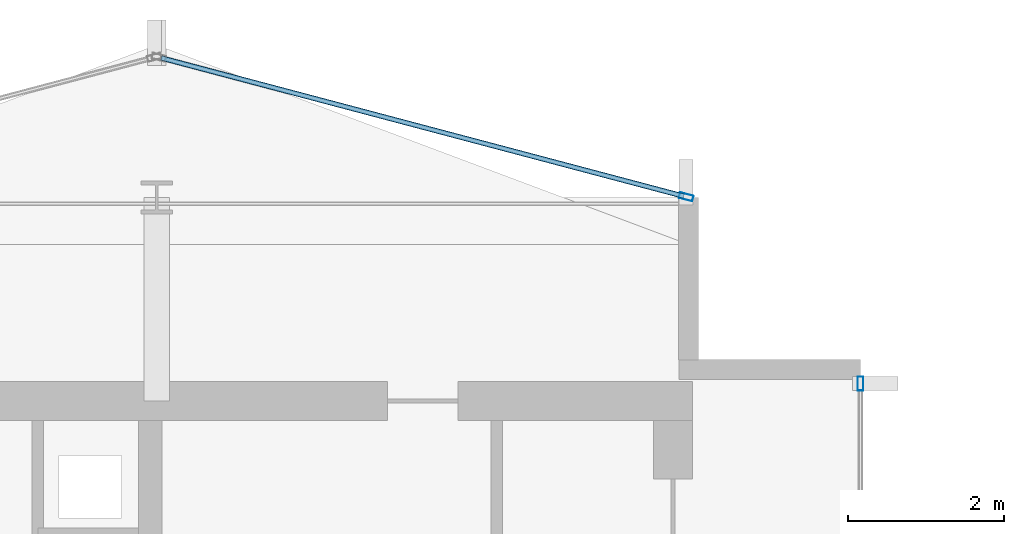
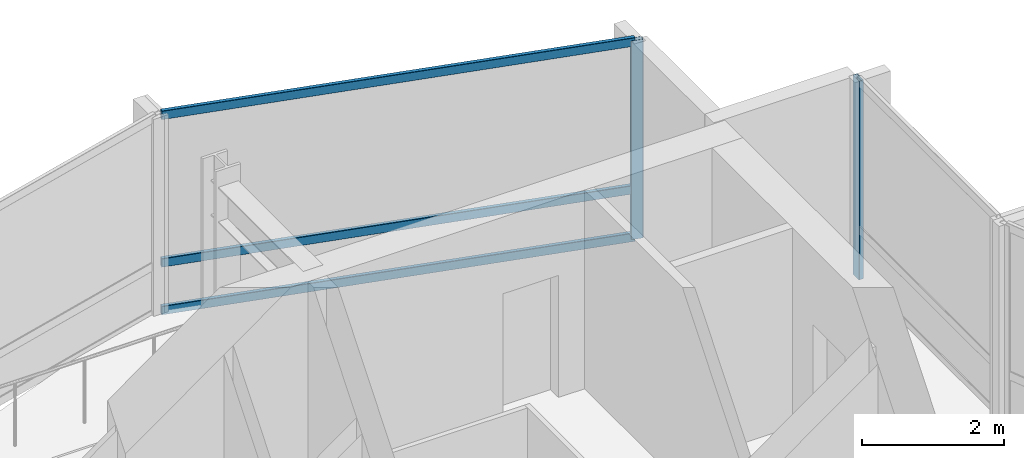
# One storey, part 18 of 27: 5 members, 2 elements without a shape of their own.
"""IFC4 building model written with IfcOpenShell, lengths in metres."""

from ifc_helpers import new_model, si_unit, direction, frame, origin, origin_2d, place, context, subcontext, project, spatial, hollow_rectangle, extrude, material, layer, layer_set, material_profile, profile_set, type_object, element, aggregate, save


model = new_model("IFC4")

# Units and contexts
model_context = context("Model", 3, precision=1e-05, world=origin(), true_north=direction((0.0, 1.0)))
body_context = subcontext(model_context, "Body", "Model", "MODEL_VIEW")
ifc_project = project(units=[si_unit("LENGTHUNIT", "METRE"), si_unit("AREAUNIT", "SQUARE_METRE"), si_unit("VOLUMEUNIT", "CUBIC_METRE"), si_unit("PLANEANGLEUNIT", "RADIAN"), si_unit("MASSUNIT", "GRAM", prefix="KILO")], contexts=[model_context])

# Site, building, storey
site_placement = place(None, origin())
site = spatial("IfcSite", under=ifc_project, at=site_placement, CompositionType="ELEMENT")
building_placement = place(site_placement, origin())
building = spatial("IfcBuilding", under=site, at=building_placement, Name="Solvaryn Broadcast Tower", CompositionType="ELEMENT")
storey_placement = place(building_placement, frame((0.0, 0.0, 189.0)))
storey = spatial("IfcBuildingStorey", under=building, at=storey_placement, Name="L47", CompositionType="ELEMENT", Elevation=189.0)

# Curtain wall, member
ifc_material_1 = material(Name="Aluminium and Terracotta Unitised Curtain Wall", Category="masonry")
ifc_layer = layer(ifc_material_1, 0.199951171875)
ifc_layer_set = layer_set([ifc_layer], Name="CW-SYS2-LOWMID")
curtain_wall_type = type_object("IfcCurtainWallType", Name="CW-SYS2-LOWMID", PredefinedType="NOTDEFINED", material=ifc_layer_set)
curtain_wall_1_placement = place(storey_placement, origin())
curtain_wall_1 = element("IfcCurtainWall", 1, at=curtain_wall_1_placement, inside=storey, type_object=curtain_wall_type, Name="L47 Curtain Wall IV", PredefinedType="NOTDEFINED")
ifc_material_2 = material(Name="Anodised Aluminium 6063-T6", Category="aluminium")
ifc_material_profile_1 = material_profile(ifc_material_2, hollow_rectangle(XDim=0.074951171875, YDim=0.179931640625, WallThickness=0.00390625, InnerFilletRadius=0.00390625, OuterFilletRadius=0.008056640625, at=origin_2d()))
ifc_profile_set_1 = profile_set([ifc_material_profile_1], Name="Anodised Aluminium 6063-T6")
member_type_1 = type_object("IfcMemberType", Name="CW-MUL-180", PredefinedType="MULLION", material=ifc_profile_set_1)
member_1_placement = place(storey_placement, frame((27.0, 42.6201171875, 0.0), z_axis=(0.0, 0.0, 1.0), x_axis=(1.0, 0.0, 0.0)))
member_1 = element("IfcMember", 2, at=member_1_placement, type_object=member_type_1, Name="CWS2 mullion 1", PredefinedType="MULLION", context=body_context, shape_type="SweptSolid", body=[
    extrude(hollow_rectangle(XDim=0.074951171875, YDim=0.179931640625, WallThickness=0.00390625, InnerFilletRadius=0.00390625, OuterFilletRadius=0.008056640625, at=origin_2d()), origin(), (0.0, 0.0, 1.0), 3.419921875),
])
aggregate(curtain_wall_1, [member_1])

# Curtain wall, members
curtain_wall_2_placement = place(storey_placement, origin())
curtain_wall_2 = element("IfcCurtainWall", 3, at=curtain_wall_2_placement, inside=storey, type_object=curtain_wall_type, Name="L47 Curtain Wall NT1", PredefinedType="NOTDEFINED")
member_2_placement = place(storey_placement, frame((24.77099609375, 45.007568359375, 0.0), z_axis=(0.0, 0.0, 1.0), x_axis=(-0.25589256031, -0.966705227863, 0.0)))
member_2 = element("IfcMember", 4, at=member_2_placement, type_object=member_type_1, Name="CWS2 mullion 1", PredefinedType="MULLION", context=body_context, shape_type="SweptSolid", body=[
    extrude(hollow_rectangle(XDim=0.074951171875, YDim=0.179931640625, WallThickness=0.00390625, InnerFilletRadius=0.00390625, OuterFilletRadius=0.008056640625, at=origin_2d()), origin(), (0.0, 0.0, 1.0), 3.419921875),
])
ifc_material_3 = material(Name="Anodised Aluminium 6063-T6", Category="aluminium")
ifc_material_profile_2 = material_profile(ifc_material_3, hollow_rectangle(XDim=0.06494140625, YDim=0.14990234375, WallThickness=0.00390625, InnerFilletRadius=0.00390625, OuterFilletRadius=0.008056640625, at=origin_2d()))
ifc_profile_set_2 = profile_set([ifc_material_profile_2], Name="Anodised Aluminium 6063-T6")
member_type_2 = type_object("IfcMemberType", Name="CW-TRN-150", PredefinedType="USERDEFINED", material=ifc_profile_set_2)
member_3_placement = place(storey_placement, frame((24.741943359375, 45.015380859375, 0.030029296875), z_axis=(-0.966703943301, 0.255897413051, 0.0), x_axis=(-0.255897413051, -0.966703943301, 0.0)))
member_3 = element("IfcMember", 5, at=member_3_placement, type_object=member_type_2, Name="CWS2 transom 1.1", ObjectType="TRANSOM", PredefinedType="USERDEFINED", context=body_context, shape_type="SweptSolid", body=[
    extrude(hollow_rectangle(XDim=0.06494140625, YDim=0.14990234375, WallThickness=0.00390625, InnerFilletRadius=0.00390625, OuterFilletRadius=0.008056640625, at=origin_2d()), origin(), (0.0, 0.0, 1.0), 6.9140625),
])
member_4_placement = place(storey_placement, frame((24.741943359375, 45.015380859375, 0.85009765625), z_axis=(-0.966703943301, 0.255897413051, 0.0), x_axis=(-0.255897413051, -0.966703943301, 0.0)))
member_4 = element("IfcMember", 6, at=member_4_placement, type_object=member_type_2, Name="CWS2 transom 1.2", ObjectType="TRANSOM", PredefinedType="USERDEFINED", context=body_context, shape_type="SweptSolid", body=[
    extrude(hollow_rectangle(XDim=0.06494140625, YDim=0.14990234375, WallThickness=0.00390625, InnerFilletRadius=0.00390625, OuterFilletRadius=0.008056640625, at=origin_2d()), origin(), (0.0, 0.0, 1.0), 6.9140625),
])
member_5_placement = place(storey_placement, frame((24.741943359375, 45.015380859375, 3.389892578125), z_axis=(-0.966703943301, 0.255897413051, 0.0), x_axis=(-0.255897413051, -0.966703943301, 0.0)))
member_5 = element("IfcMember", 7, at=member_5_placement, type_object=member_type_2, Name="CWS2 transom 1.3", ObjectType="TRANSOM", PredefinedType="USERDEFINED", context=body_context, shape_type="SweptSolid", body=[
    extrude(hollow_rectangle(XDim=0.06494140625, YDim=0.14990234375, WallThickness=0.00390625, InnerFilletRadius=0.00390625, OuterFilletRadius=0.008056640625, at=origin_2d()), origin(), (0.0, 0.0, 1.0), 6.9140625),
])
aggregate(curtain_wall_2, [member_2, member_3, member_4, member_5])

save(model, "model.ifc")
